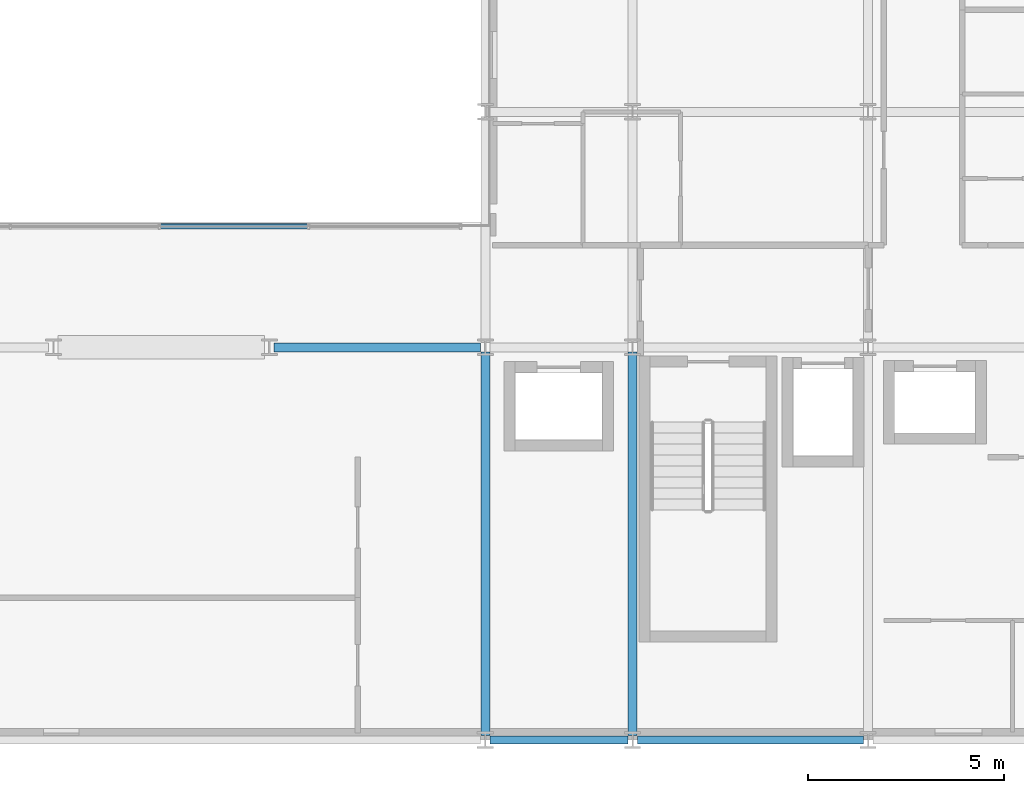
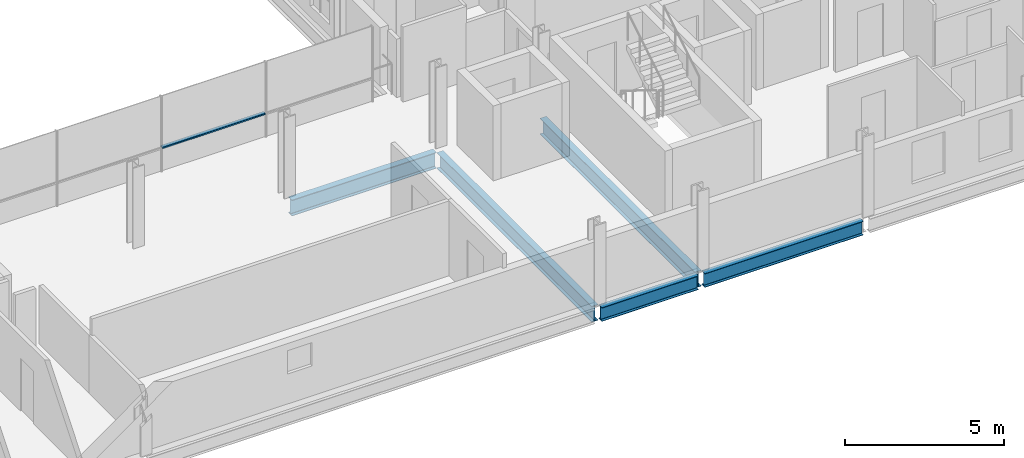
# One storey, part 12 of 39: 5 beams, 1 member, 1 element without a shape of its own.
"""IFC4 building model written with IfcOpenShell, lengths in metres."""

from ifc_helpers import new_model, si_unit, direction, frame, origin, origin_2d, place, context, subcontext, project, spatial, hollow_rectangle, i_section, extrude, material, layer, layer_set, material_profile, profile_set, type_object, element, aggregate, save


model = new_model("IFC4")

# Units and contexts
model_context = context("Model", 3, precision=1e-05, world=origin(), true_north=direction((0.0, 1.0)))
body_context = subcontext(model_context, "Body", "Model", "MODEL_VIEW")
ifc_project = project(units=[si_unit("LENGTHUNIT", "METRE"), si_unit("AREAUNIT", "SQUARE_METRE"), si_unit("VOLUMEUNIT", "CUBIC_METRE"), si_unit("PLANEANGLEUNIT", "RADIAN"), si_unit("MASSUNIT", "GRAM", prefix="KILO")], contexts=[model_context])

# Site, building, storey
site_placement = place(None, origin())
site = spatial("IfcSite", under=ifc_project, at=site_placement, CompositionType="ELEMENT")
building_placement = place(site_placement, origin())
building = spatial("IfcBuilding", under=site, at=building_placement, Name="Brevholm Reach", CompositionType="ELEMENT")
storey_placement = place(building_placement, frame((0.0, 0.0, 103.5)))
storey = spatial("IfcBuildingStorey", under=building, at=storey_placement, Name="L30", CompositionType="ELEMENT", Elevation=103.5)

# Beams
ifc_material_1 = material(Name="Structural Steel S355J2", Category="steel")
ifc_material_profile_1 = material_profile(ifc_material_1, i_section(OverallWidth=0.209228515625, OverallDepth=0.533203125, WebThickness=0.010009765625, FlangeThickness=0.015625, FilletRadius=0.0126953125, at=origin_2d()), Name="UKB 533x210x92")
ifc_profile_set_1 = profile_set([ifc_material_profile_1], Name="Structural Steel S355J2")
beam_type_1 = type_object("IfcBeamType", Name="BM-SP533", PredefinedType="SPANDREL", material=ifc_profile_set_1)
beam_1_placement = place(storey_placement, frame((38.3701171875, 0.0, -0.486572265625), z_axis=(1.0, 0.0, 0.0), x_axis=(0.0, 1.0, 0.0)))
element("IfcBeam", 1, at=beam_1_placement, inside=storey, type_object=beam_type_1, Name="L30 SP-02 Framing Beam", PredefinedType="SPANDREL", context=body_context, shape_type="SweptSolid", body=[
    extrude(i_section(OverallWidth=0.209228515625, OverallDepth=0.533203125, WebThickness=0.010009765625, FlangeThickness=0.015625, FilletRadius=0.0126953125, at=origin_2d()), origin(), (0.0, 0.0, 1.0), 3.509765625),
])
beam_2_placement = place(storey_placement, frame((42.1201171875, 0.0, -0.486572265625), z_axis=(1.0, 0.0, 0.0), x_axis=(0.0, 1.0, 0.0)))
element("IfcBeam", 2, at=beam_2_placement, inside=storey, type_object=beam_type_1, Name="L30 SP-02 Framing Beam", PredefinedType="SPANDREL", context=body_context, shape_type="SweptSolid", body=[
    extrude(i_section(OverallWidth=0.209228515625, OverallDepth=0.533203125, WebThickness=0.010009765625, FlangeThickness=0.015625, FilletRadius=0.0126953125, at=origin_2d()), origin(), (0.0, 0.0, 1.0), 5.759765625),
])
ifc_material_2 = material(Name="Structural Steel S355J2", Category="steel")
ifc_material_profile_2 = material_profile(ifc_material_2, i_section(OverallWidth=0.22900390625, OverallDepth=0.6123046875, WebThickness=0.011962890625, FlangeThickness=0.01953125, FilletRadius=0.0126953125, at=origin_2d()), Name="UKB 610x229x125")
ifc_profile_set_2 = profile_set([ifc_material_profile_2], Name="Structural Steel S355J2")
beam_type_2 = type_object("IfcBeamType", Name="BM-SP610", PredefinedType="SPANDREL", material=ifc_profile_set_2)
beam_3_placement = place(storey_placement, frame((32.8701171875, 10.0, -0.526123046875), z_axis=(1.0, 0.0, 0.0), x_axis=(0.0, 1.0, 0.0)))
element("IfcBeam", 3, at=beam_3_placement, inside=storey, type_object=beam_type_2, Name="L30 SP-01 Framing Beam", PredefinedType="SPANDREL", context=body_context, shape_type="SweptSolid", body=[
    extrude(i_section(OverallWidth=0.22900390625, OverallDepth=0.6123046875, WebThickness=0.011962890625, FlangeThickness=0.01953125, FilletRadius=0.0126953125, at=origin_2d()), origin(), (0.0, 0.0, 1.0), 5.259765625),
])
for number, where, z_axis, x_axis, name in (
    (4, (38.25, 0.1201171875, -0.526123046875), (0.0, 1.0, 0.0), (-1.0, 0.0, 0.0), "L30 SP-01 Framing Beam"),
    (5, (42.0, 0.1201171875, -0.526123046875), (0.0, 1.0, 0.0), (-1.0, 0.0, 0.0), "L30 SP-01 Framing Beam"),
):
    element("IfcBeam", number, at=place(storey_placement, frame(where, z_axis=z_axis, x_axis=x_axis)), inside=storey, type_object=beam_type_2, Name=name, PredefinedType="SPANDREL", context=body_context, shape_type="SweptSolid", body=[
        extrude(i_section(OverallWidth=0.22900390625, OverallDepth=0.6123046875, WebThickness=0.011962890625, FlangeThickness=0.01953125, FilletRadius=0.0126953125, at=origin_2d()), origin(), (0.0, 0.0, 1.0), 9.759765625),
    ])

# Curtain wall, member
ifc_material_3 = material(Name="Dark Anodised Aluminium 6063-T6 and Solar-Control Glass", Category="aluminium")
ifc_layer = layer(ifc_material_3, 0.139892578125)
ifc_layer_set = layer_set([ifc_layer], Name="Dark Anodised Aluminium 6063-T6 and Solar-Control Glass")
curtain_wall_type = type_object("IfcCurtainWallType", Name="CW-02", PredefinedType="NOTDEFINED", material=ifc_layer_set)
curtain_wall_placement = place(storey_placement, origin())
curtain_wall = element("IfcCurtainWall", 6, at=curtain_wall_placement, inside=storey, type_object=curtain_wall_type, Name="L30 Curtain Wall CW-02", PredefinedType="NOTDEFINED")
ifc_material_4 = material(Name="Dark Anodised Aluminium 6063-T6", Category="aluminium")
ifc_material_profile_3 = material_profile(ifc_material_4, hollow_rectangle(XDim=0.06005859375, YDim=0.139892578125, WallThickness=0.0048828125, InnerFilletRadius=0.0048828125, OuterFilletRadius=0.010009765625, at=origin_2d()), Name="RHS 140x60x5")
ifc_profile_set_3 = profile_set([ifc_material_profile_3], Name="Dark Anodised Aluminium 6063-T6")
member_type = type_object("IfcMemberType", Name="CWT-140", PredefinedType="NOTDEFINED", material=ifc_profile_set_3)
member_placement = place(storey_placement, frame((29.97998046875, 13.080078125, 0.89990234375), z_axis=(1.0, 0.0, 0.0), x_axis=(0.0, 0.0, 1.0)))
member = element("IfcMember", 7, at=member_placement, type_object=member_type, Name="CT-140 Transom 3.1", ObjectType="TRANSOM", PredefinedType="USERDEFINED", context=body_context, shape_type="SweptSolid", body=[
    extrude(hollow_rectangle(XDim=0.06005859375, YDim=0.139892578125, WallThickness=0.0048828125, InnerFilletRadius=0.0048828125, OuterFilletRadius=0.010009765625, at=origin_2d()), origin(), (0.0, 0.0, 1.0), 3.739990234375),
])
aggregate(curtain_wall, [member])

save(model, "model.ifc")
